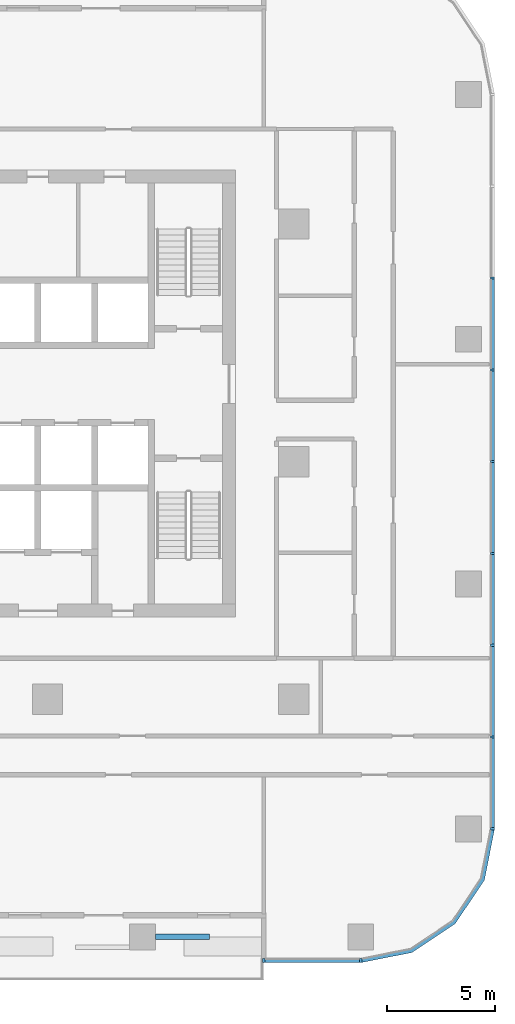
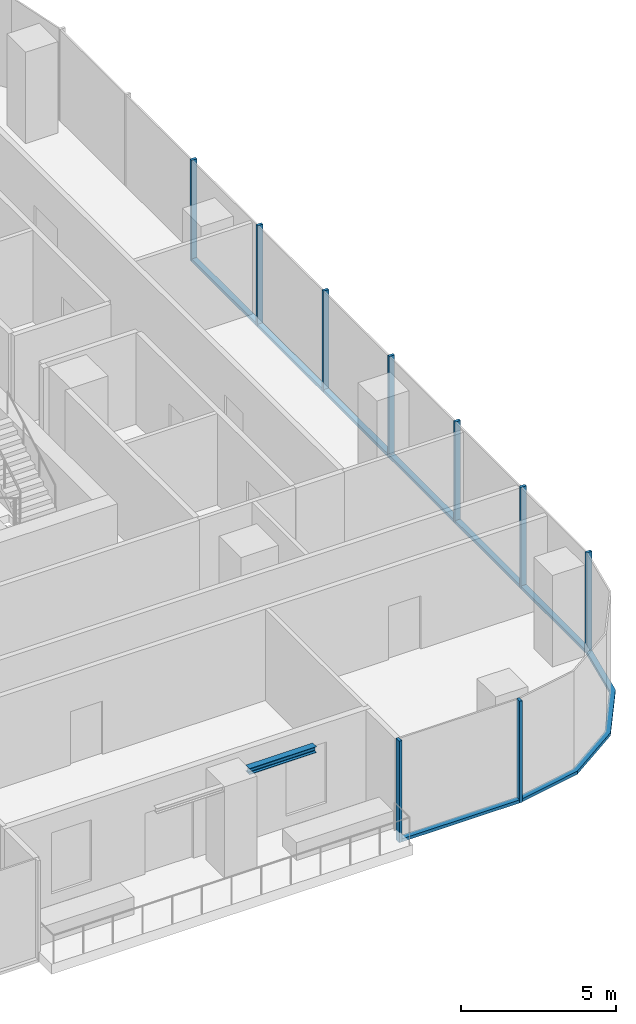
# One storey, part 3 of 14: 17 members, 1 beam, 3 elements without a shape of their own.
"""IFC4 building model written with IfcOpenShell, lengths in metres."""

from ifc_helpers import new_model, si_unit, direction, frame, origin, origin_2d, place, context, subcontext, project, spatial, polyline, rectangle, i_section, outline, extrude, material, material_profile, profile_set, type_object, element, aggregate, save


model = new_model("IFC4")

# Units and contexts
model_context = context("Model", 3, precision=1e-05, world=origin(), true_north=direction((0.0, 1.0)))
body_context = subcontext(model_context, "Body", "Model", "MODEL_VIEW")
ifc_project = project(units=[si_unit("LENGTHUNIT", "METRE"), si_unit("AREAUNIT", "SQUARE_METRE"), si_unit("VOLUMEUNIT", "CUBIC_METRE"), si_unit("PLANEANGLEUNIT", "RADIAN"), si_unit("MASSUNIT", "GRAM", prefix="KILO")], contexts=[model_context])

# Site, building, storey
site_placement = place(None, origin())
site = spatial("IfcSite", under=ifc_project, at=site_placement, CompositionType="ELEMENT")
building_placement = place(site_placement, origin())
building = spatial("IfcBuilding", under=site, at=building_placement, Name="Mopane Tessera Tower", CompositionType="ELEMENT")
storey_placement = place(building_placement, frame((0.0, 0.0, 189.0)))
storey = spatial("IfcBuildingStorey", under=building, at=storey_placement, Name="L39", CompositionType="ELEMENT", Elevation=189.0)

# Curtain wall, members
ifc_material_1 = material(Name="Aluminium frame", Category="aluminium")
curtain_wall_type = type_object("IfcCurtainWallType", Name="Unitised curtain wall", PredefinedType="NOTDEFINED", material=ifc_material_1)
curtain_wall_1_placement = place(storey_placement, origin())
curtain_wall_1 = element("IfcCurtainWall", 1, at=curtain_wall_1_placement, inside=storey, type_object=curtain_wall_type, Name="e:cw:L39:S:8", PredefinedType="NOTDEFINED")
ifc_material_2 = material(Name="Aluminium frame", Category="aluminium")
ifc_material_profile_1 = material_profile(ifc_material_2, rectangle(XDim=0.10009765625, YDim=0.199951171875, at=origin_2d()))
ifc_profile_set_1 = profile_set([ifc_material_profile_1], Name="Aluminium frame")
member_type_1 = type_object("IfcMemberType", Name="Aluminium mullion 100 x 200", PredefinedType="MULLION", material=ifc_profile_set_1)
member_1_placement = place(storey_placement, frame((15.711181640625, -23.10009765625, -0.39990234375), z_axis=(0.0, 0.0, 1.0), x_axis=(1.0, 0.0, 0.0)))
member_1 = element("IfcMember", 2, at=member_1_placement, type_object=member_type_1, Name="e:cw:L39:S:8:mu8", PredefinedType="MULLION", context=body_context, shape_type="SweptSolid", body=[
    extrude(rectangle(XDim=0.10009765625, YDim=0.199951171875, at=origin_2d()), origin(), (0.0, 0.0, 1.0), 4.0),
])
member_2_placement = place(storey_placement, frame((20.199951171875, -23.10009765625, -0.39990234375), z_axis=(0.0, 0.0, 1.0), x_axis=(1.0, 0.0, 0.0)))
member_2 = element("IfcMember", 3, at=member_2_placement, type_object=member_type_1, Name="e:cw:L39:S:8:mu9", PredefinedType="MULLION", context=body_context, shape_type="SweptSolid", body=[
    extrude(rectangle(XDim=0.10009765625, YDim=0.199951171875, at=origin_2d()), origin(), (0.0, 0.0, 1.0), 4.0),
])

curtain_wall_2_placement = place(storey_placement, origin())
curtain_wall_2 = element("IfcCurtainWall", 4, at=curtain_wall_2_placement, inside=storey, type_object=curtain_wall_type, Name="e:cw:L39:E:0", PredefinedType="NOTDEFINED")
member_3_placement = place(storey_placement, frame((26.300048828125, -17.0, -0.39990234375), z_axis=(0.0, 0.0, 1.0), x_axis=(0.0, 1.0, 0.0)))
member_3 = element("IfcMember", 5, at=member_3_placement, type_object=member_type_1, Name="e:cw:L39:E:0:mu0", PredefinedType="MULLION", context=body_context, shape_type="SweptSolid", body=[
    extrude(rectangle(XDim=0.10009765625, YDim=0.199951171875, at=origin_2d()), origin(), (0.0, 0.0, 1.0), 4.0),
])
member_4_placement = place(storey_placement, frame((26.300048828125, -12.75, -0.39990234375), z_axis=(0.0, 0.0, 1.0), x_axis=(0.0, 1.0, 0.0)))
member_4 = element("IfcMember", 6, at=member_4_placement, type_object=member_type_1, Name="e:cw:L39:E:0:mu1", PredefinedType="MULLION", context=body_context, shape_type="SweptSolid", body=[
    extrude(rectangle(XDim=0.10009765625, YDim=0.199951171875, at=origin_2d()), origin(), (0.0, 0.0, 1.0), 4.0),
])
member_5_placement = place(storey_placement, frame((26.300048828125, -8.5, -0.39990234375), z_axis=(0.0, 0.0, 1.0), x_axis=(0.0, 1.0, 0.0)))
member_5 = element("IfcMember", 7, at=member_5_placement, type_object=member_type_1, Name="e:cw:L39:E:0:mu2", PredefinedType="MULLION", context=body_context, shape_type="SweptSolid", body=[
    extrude(rectangle(XDim=0.10009765625, YDim=0.199951171875, at=origin_2d()), origin(), (0.0, 0.0, 1.0), 4.0),
])
member_6_placement = place(storey_placement, frame((26.300048828125, -4.25, -0.39990234375), z_axis=(0.0, 0.0, 1.0), x_axis=(0.0, 1.0, 0.0)))
member_6 = element("IfcMember", 8, at=member_6_placement, type_object=member_type_1, Name="e:cw:L39:E:0:mu3", PredefinedType="MULLION", context=body_context, shape_type="SweptSolid", body=[
    extrude(rectangle(XDim=0.10009765625, YDim=0.199951171875, at=origin_2d()), origin(), (0.0, 0.0, 1.0), 4.0),
])
member_7_placement = place(storey_placement, frame((26.300048828125, 0.0, -0.39990234375), z_axis=(0.0, 0.0, 1.0), x_axis=(0.0, 1.0, 0.0)))
member_7 = element("IfcMember", 9, at=member_7_placement, type_object=member_type_1, Name="e:cw:L39:E:0:mu4", PredefinedType="MULLION", context=body_context, shape_type="SweptSolid", body=[
    extrude(rectangle(XDim=0.10009765625, YDim=0.199951171875, at=origin_2d()), origin(), (0.0, 0.0, 1.0), 4.0),
])
member_8_placement = place(storey_placement, frame((26.300048828125, 4.25, -0.39990234375), z_axis=(0.0, 0.0, 1.0), x_axis=(0.0, 1.0, 0.0)))
member_8 = element("IfcMember", 10, at=member_8_placement, type_object=member_type_1, Name="e:cw:L39:E:0:mu5", PredefinedType="MULLION", context=body_context, shape_type="SweptSolid", body=[
    extrude(rectangle(XDim=0.10009765625, YDim=0.199951171875, at=origin_2d()), origin(), (0.0, 0.0, 1.0), 4.0),
])
member_9_placement = place(storey_placement, frame((26.300048828125, 8.5, -0.39990234375), z_axis=(0.0, 0.0, 1.0), x_axis=(0.0, 1.0, 0.0)))
member_9 = element("IfcMember", 11, at=member_9_placement, type_object=member_type_1, Name="e:cw:L39:E:0:mu6", PredefinedType="MULLION", context=body_context, shape_type="SweptSolid", body=[
    extrude(rectangle(XDim=0.10009765625, YDim=0.199951171875, at=origin_2d()), origin(), (0.0, 0.0, 1.0), 4.0),
])

# Member
ifc_material_3 = material(Name="Aluminium frame", Category="aluminium")
ifc_material_profile_2 = material_profile(ifc_material_3, rectangle(XDim=0.199951171875, YDim=0.1201171875, at=origin_2d()))
ifc_profile_set_2 = profile_set([ifc_material_profile_2], Name="Aluminium frame")
member_type_2 = type_object("IfcMemberType", Name="Aluminium transom 200 x 120", PredefinedType="USERDEFINED", material=ifc_profile_set_2)
member_10_placement = place(storey_placement, frame((15.76123046875, -23.10009765625, -0.340087890625), z_axis=(1.0, 0.0, 0.0), x_axis=(0.0, 1.0, 0.0)))
member_10 = element("IfcMember", 12, at=member_10_placement, type_object=member_type_2, Name="e:cw:L39:S:8:tr8", ObjectType="TRANSOM", PredefinedType="USERDEFINED", context=body_context, shape_type="SweptSolid", body=[
    extrude(rectangle(XDim=0.199951171875, YDim=0.1201171875, at=origin_2d()), origin(), (0.0, 0.0, 1.0), 4.388671875),
])

aggregate(curtain_wall_1, [member_1, member_2, member_10])

# Curtain wall, member
curtain_wall_3_placement = place(storey_placement, origin())
curtain_wall_3 = element("IfcCurtainWall", 13, at=curtain_wall_3_placement, inside=storey, type_object=curtain_wall_type, Name="e:cw:L39:CS", PredefinedType="NOTDEFINED")
member_11_placement = place(storey_placement, frame((0.0, 0.0, -0.39990234375)))
member_11 = element("IfcMember", 14, at=member_11_placement, type_object=member_type_2, Name="e:cw:L39:CS:tr", ObjectType="TRANSOM", PredefinedType="USERDEFINED", context=body_context, shape_type="SweptSolid", body=[
    extrude(outline(polyline([(20.199951171875, -23.0), (22.49609375, -22.543212890625), (24.442626953125, -21.24267578125), (25.7431640625, -19.296142578125), (26.199951171875, -17.0), (26.39990234375, -17.0), (25.927978515625, -19.37255859375), (24.583984375, -21.384033203125), (22.57275390625, -22.72802734375), (20.199951171875, -23.199951171875), (20.199951171875, -23.0)])), origin(), (0.0, 0.0, 1.0), 0.119873046875),
])
aggregate(curtain_wall_3, [member_11])

# Member
member_12_placement = place(storey_placement, frame((26.300048828125, -16.949951171875, -0.340087890625), z_axis=(0.0, 1.0, 0.0), x_axis=(-1.0, 0.0, 0.0)))
member_12 = element("IfcMember", 15, at=member_12_placement, type_object=member_type_2, Name="e:cw:L39:E:0:tr0", ObjectType="TRANSOM", PredefinedType="USERDEFINED", context=body_context, shape_type="SweptSolid", body=[
    extrude(rectangle(XDim=0.199951171875, YDim=0.1201171875, at=origin_2d()), origin(), (0.0, 0.0, 1.0), 4.14990234375),
])

member_13_placement = place(storey_placement, frame((26.300048828125, -12.699951171875, -0.340087890625), z_axis=(0.0, 1.0, 0.0), x_axis=(-1.0, 0.0, 0.0)))
member_13 = element("IfcMember", 16, at=member_13_placement, type_object=member_type_2, Name="e:cw:L39:E:0:tr1", ObjectType="TRANSOM", PredefinedType="USERDEFINED", context=body_context, shape_type="SweptSolid", body=[
    extrude(rectangle(XDim=0.199951171875, YDim=0.1201171875, at=origin_2d()), origin(), (0.0, 0.0, 1.0), 4.14990234375),
])

member_14_placement = place(storey_placement, frame((26.300048828125, -8.449951171875, -0.340087890625), z_axis=(0.0, 1.0, 0.0), x_axis=(-1.0, 0.0, 0.0)))
member_14 = element("IfcMember", 17, at=member_14_placement, type_object=member_type_2, Name="e:cw:L39:E:0:tr2", ObjectType="TRANSOM", PredefinedType="USERDEFINED", context=body_context, shape_type="SweptSolid", body=[
    extrude(rectangle(XDim=0.199951171875, YDim=0.1201171875, at=origin_2d()), origin(), (0.0, 0.0, 1.0), 4.14990234375),
])

member_15_placement = place(storey_placement, frame((26.300048828125, -4.199951171875, -0.340087890625), z_axis=(0.0, 1.0, 0.0), x_axis=(-1.0, 0.0, 0.0)))
member_15 = element("IfcMember", 18, at=member_15_placement, type_object=member_type_2, Name="e:cw:L39:E:0:tr3", ObjectType="TRANSOM", PredefinedType="USERDEFINED", context=body_context, shape_type="SweptSolid", body=[
    extrude(rectangle(XDim=0.199951171875, YDim=0.1201171875, at=origin_2d()), origin(), (0.0, 0.0, 1.0), 4.14990234375),
])

member_16_placement = place(storey_placement, frame((26.300048828125, 0.050048828125, -0.340087890625), z_axis=(0.0, 1.0, 0.0), x_axis=(-1.0, 0.0, 0.0)))
member_16 = element("IfcMember", 19, at=member_16_placement, type_object=member_type_2, Name="e:cw:L39:E:0:tr4", ObjectType="TRANSOM", PredefinedType="USERDEFINED", context=body_context, shape_type="SweptSolid", body=[
    extrude(rectangle(XDim=0.199951171875, YDim=0.1201171875, at=origin_2d()), origin(), (0.0, 0.0, 1.0), 4.14990234375),
])

member_17_placement = place(storey_placement, frame((26.300048828125, 4.300048828125, -0.340087890625), z_axis=(0.0, 1.0, 0.0), x_axis=(-1.0, 0.0, 0.0)))
member_17 = element("IfcMember", 20, at=member_17_placement, type_object=member_type_2, Name="e:cw:L39:E:0:tr5", ObjectType="TRANSOM", PredefinedType="USERDEFINED", context=body_context, shape_type="SweptSolid", body=[
    extrude(rectangle(XDim=0.199951171875, YDim=0.1201171875, at=origin_2d()), origin(), (0.0, 0.0, 1.0), 4.14990234375),
])

aggregate(curtain_wall_2, [member_3, member_4, member_5, member_6, member_7, member_8, member_9, member_12, member_13, member_14, member_15, member_16, member_17])

# Beam
ifc_material_4 = material(Name="Structural steel S460", Category="steel")
ifc_material_profile_3 = material_profile(ifc_material_4, i_section(OverallWidth=0.239990234375, OverallDepth=0.239990234375, WebThickness=0.010009765625, FlangeThickness=0.01708984375, FilletRadius=0.02099609375, at=origin_2d()))
ifc_profile_set_3 = profile_set([ifc_material_profile_3], Name="Structural steel S460")
beam_type = type_object("IfcBeamType", Name="Terrace spandrel beam HE 240 B", PredefinedType="SPANDREL", material=ifc_profile_set_3)
beam_placement = place(storey_placement, frame((10.703125, -22.0, 3.47998046875), z_axis=(1.0, 0.0, 0.0), x_axis=(0.0, 1.0, 0.0)))
element("IfcBeam", 21, at=beam_placement, inside=storey, type_object=beam_type, Name="Terrace spandrel beam N2 L40", PredefinedType="SPANDREL", context=body_context, shape_type="SweptSolid", body=[
    extrude(i_section(OverallWidth=0.239990234375, OverallDepth=0.239990234375, WebThickness=0.010009765625, FlangeThickness=0.01708984375, FilletRadius=0.02099609375, at=origin_2d()), origin(), (0.0, 0.0, 1.0), 2.5),
])

save(model, "model.ifc")
